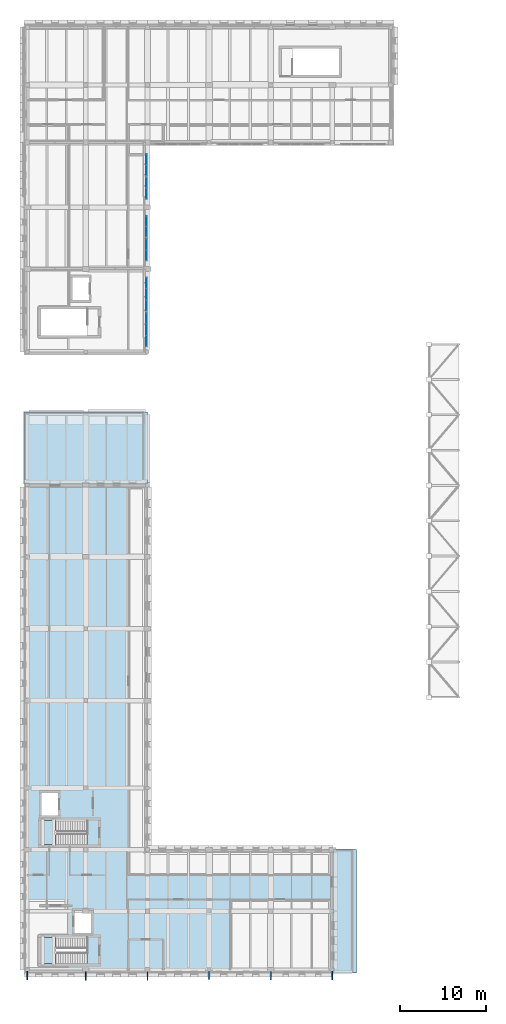
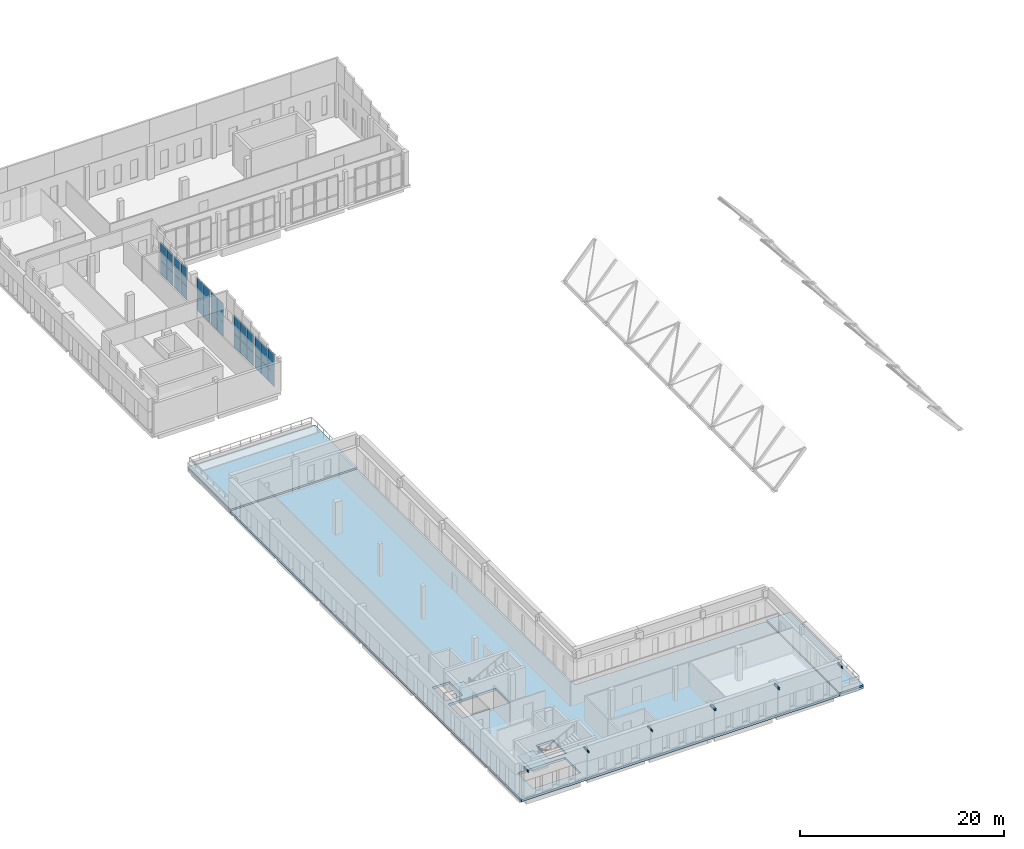
# One storey, part 16 of 34: 28 plates, 7 slabs, 6 members, 8 elements without a shape of their own.
"""IFC4 building model written with IfcOpenShell, lengths in metres."""

from ifc_helpers import new_model, si_unit, direction, frame, origin, origin_2d, place, context, subcontext, project, spatial, polyline, rectangle, i_section, outline, extrude, material, layer, layer_set, material_profile, profile_set, type_object, element, aggregate, save


model = new_model("IFC4")

# Units and contexts
model_context = context("Model", 3, precision=1e-05, world=origin(), true_north=direction((0.0, 1.0)))
body_context = subcontext(model_context, "Body", "Model", "MODEL_VIEW")
ifc_project = project(units=[si_unit("LENGTHUNIT", "METRE"), si_unit("AREAUNIT", "SQUARE_METRE"), si_unit("VOLUMEUNIT", "CUBIC_METRE"), si_unit("PLANEANGLEUNIT", "RADIAN"), si_unit("MASSUNIT", "GRAM", prefix="KILO")], contexts=[model_context])

# Site, building, storey
site_placement = place(None, origin())
site = spatial("IfcSite", under=ifc_project, at=site_placement, CompositionType="ELEMENT")
building_placement = place(site_placement, origin())
building = spatial("IfcBuilding", under=site, at=building_placement, Name="Vardoun Plaza Health Centre", CompositionType="ELEMENT")
storey_placement = place(building_placement, frame((0.0, 0.0, 12.89990234375)))
storey = spatial("IfcBuildingStorey", under=building, at=storey_placement, Name="L03", CompositionType="ELEMENT", Elevation=12.89990234375)

# Members
ifc_material_1 = material(Name="Steel S355J2", Category="steel")
ifc_material_profile_1 = material_profile(ifc_material_1, i_section(OverallWidth=0.1201171875, OverallDepth=0.239990234375, WebThickness=0.006103515625, FlangeThickness=0.009765625, FilletRadius=0.014892578125, at=origin_2d()), Name="IPE 240")
ifc_profile_set_1 = profile_set([ifc_material_profile_1], Name="Steel S355J2")
member_type_1 = type_object("IfcMemberType", Name="CR-01", PredefinedType="RAFTER", material=ifc_profile_set_1)
member_1_placement = place(storey_placement, frame((33.300048828125, 4.64990234375, 3.670166015625), z_axis=(0.0, -1.0, 0.0), x_axis=(1.0, 0.0, 0.0)))
element("IfcMember", 1, at=member_1_placement, inside=storey, type_object=member_type_1, Name="V2 L03 South Facade Shading Fin Arm SH-V2-L03-025", PredefinedType="RAFTER", context=body_context, shape_type="SweptSolid", body=[
    extrude(i_section(OverallWidth=0.1201171875, OverallDepth=0.239990234375, WebThickness=0.006103515625, FlangeThickness=0.009765625, FilletRadius=0.014892578125, at=origin_2d()), origin(), (0.0, 0.0, 1.0), 0.949951171875),
])
ifc_material_2 = material(Name="Steel S355J2", Category="steel")
ifc_material_profile_2 = material_profile(ifc_material_2, i_section(OverallWidth=0.110107421875, OverallDepth=0.219970703125, WebThickness=0.005859375, FlangeThickness=0.00927734375, FilletRadius=0.011962890625, at=origin_2d()), Name="IPE 220")
ifc_profile_set_2 = profile_set([ifc_material_profile_2], Name="Steel S355J2")
member_type_2 = type_object("IfcMemberType", Name="CR-02", PredefinedType="RAFTER", material=ifc_profile_set_2)
for number, where, z_axis, x_axis, name in (
    (2, (4.8798828125, 4.675048828125, 3.670166015625), (0.0, -1.0, 0.0), (1.0, 0.0, 0.0), "V2 L03 South Facade Shading Fin Arm SH-V2-L03-021"),
    (3, (40.5, 4.675048828125, 3.670166015625), (0.0, -1.0, 0.0), (1.0, 0.0, 0.0), "V2 L03 South Facade Shading Fin Arm SH-V2-L03-026"),
):
    element("IfcMember", number, at=place(storey_placement, frame(where, z_axis=z_axis, x_axis=x_axis)), inside=storey, type_object=member_type_2, Name=name, PredefinedType="RAFTER", context=body_context, shape_type="SweptSolid", body=[
        extrude(i_section(OverallWidth=0.110107421875, OverallDepth=0.219970703125, WebThickness=0.005859375, FlangeThickness=0.00927734375, FilletRadius=0.011962890625, at=origin_2d()), origin(), (0.0, 0.0, 1.0), 0.949951171875),
    ])
ifc_material_3 = material(Name="Steel S355J2", Category="steel")
ifc_material_profile_3 = material_profile(ifc_material_3, i_section(OverallWidth=0.10009765625, OverallDepth=0.199951171875, WebThickness=0.005615234375, FlangeThickness=0.008544921875, FilletRadius=0.011962890625, at=origin_2d()), Name="IPE 200")
ifc_profile_set_3 = profile_set([ifc_material_profile_3], Name="Steel S355J2")
member_type_3 = type_object("IfcMemberType", Name="CR-03", PredefinedType="RAFTER", material=ifc_profile_set_3)
member_2_placement = place(storey_placement, frame((11.699951171875, 4.625, 3.670166015625), z_axis=(0.0, -1.0, 0.0), x_axis=(1.0, 0.0, 0.0)))
element("IfcMember", 4, at=member_2_placement, inside=storey, type_object=member_type_3, Name="V2 L03 South Facade Shading Fin Arm SH-V2-L03-022", PredefinedType="RAFTER", context=body_context, shape_type="SweptSolid", body=[
    extrude(i_section(OverallWidth=0.10009765625, OverallDepth=0.199951171875, WebThickness=0.005615234375, FlangeThickness=0.008544921875, FilletRadius=0.011962890625, at=origin_2d()), origin(), (0.0, 0.0, 1.0), 0.949951171875),
])
ifc_material_4 = material(Name="Steel S355J2", Category="steel")
ifc_material_profile_4 = material_profile(ifc_material_4, i_section(OverallWidth=0.091064453125, OverallDepth=0.179931640625, WebThickness=0.00537109375, FlangeThickness=0.008056640625, FilletRadius=0.009033203125, at=origin_2d()), Name="IPE 180")
ifc_profile_set_4 = profile_set([ifc_material_profile_4], Name="Steel S355J2")
member_type_4 = type_object("IfcMemberType", Name="CR-04", PredefinedType="RAFTER", material=ifc_profile_set_4)
member_3_placement = place(storey_placement, frame((18.89990234375, 4.625, 3.670166015625), z_axis=(0.0, -1.0, 0.0), x_axis=(1.0, 0.0, 0.0)))
element("IfcMember", 5, at=member_3_placement, inside=storey, type_object=member_type_4, Name="V2 L03 South Facade Shading Fin Arm SH-V2-L03-023", PredefinedType="RAFTER", context=body_context, shape_type="SweptSolid", body=[
    extrude(i_section(OverallWidth=0.091064453125, OverallDepth=0.179931640625, WebThickness=0.00537109375, FlangeThickness=0.008056640625, FilletRadius=0.009033203125, at=origin_2d()), origin(), (0.0, 0.0, 1.0), 0.949951171875),
])
ifc_material_5 = material(Name="Steel S355J2", Category="steel")
ifc_material_profile_5 = material_profile(ifc_material_5, i_section(OverallWidth=0.199951171875, OverallDepth=0.18994140625, WebThickness=0.006591796875, FlangeThickness=0.010009765625, FilletRadius=0.01806640625, at=origin_2d()), Name="HEA 200")
ifc_profile_set_5 = profile_set([ifc_material_profile_5], Name="Steel S355J2")
member_type_5 = type_object("IfcMemberType", Name="CR-05", PredefinedType="RAFTER", material=ifc_profile_set_5)
member_4_placement = place(storey_placement, frame((26.10009765625, 4.675048828125, 3.670166015625), z_axis=(0.0, -1.0, 0.0), x_axis=(1.0, 0.0, 0.0)))
element("IfcMember", 6, at=member_4_placement, inside=storey, type_object=member_type_5, Name="V2 L03 South Facade Shading Fin Arm SH-V2-L03-024", PredefinedType="RAFTER", context=body_context, shape_type="SweptSolid", body=[
    extrude(i_section(OverallWidth=0.199951171875, OverallDepth=0.18994140625, WebThickness=0.006591796875, FlangeThickness=0.010009765625, FilletRadius=0.01806640625, at=origin_2d()), origin(), (0.0, 0.0, 1.0), 0.949951171875),
])

# Curtain wall, plates
ifc_material_6 = material(Name="Aluminium Alloy EN AW-6063-T6 and Low-E Glass", Category="aluminium")
ifc_layer_1 = layer(ifc_material_6, 0.159912109375)
ifc_layer_set_1 = layer_set([ifc_layer_1], Name="Aluminium Alloy EN AW-6063-T6 and Low-E Glass")
curtain_wall_type = type_object("IfcCurtainWallType", Name="CW-02", PredefinedType="USERDEFINED", material=ifc_layer_set_1)
curtain_wall_1_placement = place(storey_placement, origin())
curtain_wall_1 = element("IfcCurtainWall", 7, at=curtain_wall_1_placement, inside=storey, type_object=curtain_wall_type, Name="Curtain Wall CW-V3-095", ObjectType="COURTYARD_CURTAIN_WALL", PredefinedType="USERDEFINED")
ifc_material_7 = material(Name="Solar-Control Double Low-E Glazing", Category="glass")
ifc_layer_2 = layer(ifc_material_7, 0.028076171875)
ifc_layer_set_2 = layer_set([ifc_layer_2], Name="Solar-Control Double Low-E Glazing")
plate_type = type_object("IfcPlateType", Name="CW-P1", PredefinedType="CURTAIN_PANEL", material=ifc_layer_set_2)
plate_1_placement = place(storey_placement, frame((18.780029296875, 99.485107421875, 0.06005859375), z_axis=(0.0, 0.0, 1.0), x_axis=(0.0, -1.0, 0.0)))
plate_1 = element("IfcPlate", 8, at=plate_1_placement, type_object=plate_type, Name="CW-V3-095 panel 1.1", PredefinedType="CURTAIN_PANEL", context=body_context, shape_type="SweptSolid", body=[
    extrude(rectangle(XDim=1.18994140625, YDim=0.028076171875, at=origin_2d()), origin(), (0.0, 0.0, 1.0), 1.59619140625),
])
plate_2_placement = place(storey_placement, frame((18.780029296875, 99.485107421875, 1.71630859375), z_axis=(0.0, 0.0, 1.0), x_axis=(0.0, -1.0, 0.0)))
plate_2 = element("IfcPlate", 9, at=plate_2_placement, type_object=plate_type, Name="CW-V3-095 panel 1.2", PredefinedType="CURTAIN_PANEL", context=body_context, shape_type="SweptSolid", body=[
    extrude(rectangle(XDim=1.18994140625, YDim=0.028076171875, at=origin_2d()), origin(), (0.0, 0.0, 1.0), 2.23876953125),
])
plate_3_placement = place(storey_placement, frame((18.780029296875, 98.235107421875, 0.06005859375), z_axis=(0.0, 0.0, 1.0), x_axis=(0.0, -1.0, 0.0)))
plate_3 = element("IfcPlate", 10, at=plate_3_placement, type_object=plate_type, Name="CW-V3-095 panel 2.1", PredefinedType="CURTAIN_PANEL", context=body_context, shape_type="SweptSolid", body=[
    extrude(rectangle(XDim=1.18994140625, YDim=0.028076171875, at=origin_2d()), origin(), (0.0, 0.0, 1.0), 1.59619140625),
])
plate_4_placement = place(storey_placement, frame((18.780029296875, 98.235107421875, 1.71630859375), z_axis=(0.0, 0.0, 1.0), x_axis=(0.0, -1.0, 0.0)))
plate_4 = element("IfcPlate", 11, at=plate_4_placement, type_object=plate_type, Name="CW-V3-095 panel 2.2", PredefinedType="CURTAIN_PANEL", context=body_context, shape_type="SweptSolid", body=[
    extrude(rectangle(XDim=1.18994140625, YDim=0.028076171875, at=origin_2d()), origin(), (0.0, 0.0, 1.0), 2.23876953125),
])
aggregate(curtain_wall_1, [plate_1, plate_2, plate_3, plate_4])

curtain_wall_2_placement = place(storey_placement, origin())
curtain_wall_2 = element("IfcCurtainWall", 12, at=curtain_wall_2_placement, inside=storey, type_object=curtain_wall_type, Name="Curtain Wall CW-V3-096", ObjectType="COURTYARD_CURTAIN_WALL", PredefinedType="USERDEFINED")
plate_5_placement = place(storey_placement, frame((18.780029296875, 96.764892578125, 0.06005859375), z_axis=(0.0, 0.0, 1.0), x_axis=(0.0, -1.0, 0.0)))
plate_5 = element("IfcPlate", 13, at=plate_5_placement, type_object=plate_type, Name="CW-V3-096 panel 1.1", PredefinedType="CURTAIN_PANEL", context=body_context, shape_type="SweptSolid", body=[
    extrude(rectangle(XDim=1.18994140625, YDim=0.028076171875, at=origin_2d()), origin(), (0.0, 0.0, 1.0), 1.59619140625),
])
plate_6_placement = place(storey_placement, frame((18.780029296875, 96.764892578125, 1.71630859375), z_axis=(0.0, 0.0, 1.0), x_axis=(0.0, -1.0, 0.0)))
plate_6 = element("IfcPlate", 14, at=plate_6_placement, type_object=plate_type, Name="CW-V3-096 panel 1.2", PredefinedType="CURTAIN_PANEL", context=body_context, shape_type="SweptSolid", body=[
    extrude(rectangle(XDim=1.18994140625, YDim=0.028076171875, at=origin_2d()), origin(), (0.0, 0.0, 1.0), 2.23876953125),
])
plate_7_placement = place(storey_placement, frame((18.780029296875, 95.514892578125, 0.06005859375), z_axis=(0.0, 0.0, 1.0), x_axis=(0.0, -1.0, 0.0)))
plate_7 = element("IfcPlate", 15, at=plate_7_placement, type_object=plate_type, Name="CW-V3-096 panel 2.1", PredefinedType="CURTAIN_PANEL", context=body_context, shape_type="SweptSolid", body=[
    extrude(rectangle(XDim=1.18994140625, YDim=0.028076171875, at=origin_2d()), origin(), (0.0, 0.0, 1.0), 1.59619140625),
])
plate_8_placement = place(storey_placement, frame((18.780029296875, 95.514892578125, 1.71630859375), z_axis=(0.0, 0.0, 1.0), x_axis=(0.0, -1.0, 0.0)))
plate_8 = element("IfcPlate", 16, at=plate_8_placement, type_object=plate_type, Name="CW-V3-096 panel 2.2", PredefinedType="CURTAIN_PANEL", context=body_context, shape_type="SweptSolid", body=[
    extrude(rectangle(XDim=1.18994140625, YDim=0.028076171875, at=origin_2d()), origin(), (0.0, 0.0, 1.0), 2.23876953125),
])
aggregate(curtain_wall_2, [plate_5, plate_6, plate_7, plate_8])

curtain_wall_3_placement = place(storey_placement, origin())
curtain_wall_3 = element("IfcCurtainWall", 17, at=curtain_wall_3_placement, inside=storey, type_object=curtain_wall_type, Name="Curtain Wall CW-V3-097", ObjectType="COURTYARD_CURTAIN_WALL", PredefinedType="USERDEFINED")
plate_9_placement = place(storey_placement, frame((18.780029296875, 92.284912109375, 0.06005859375), z_axis=(0.0, 0.0, 1.0), x_axis=(0.0, -1.0, 0.0)))
plate_9 = element("IfcPlate", 18, at=plate_9_placement, type_object=plate_type, Name="CW-V3-097 panel 1.1", PredefinedType="CURTAIN_PANEL", context=body_context, shape_type="SweptSolid", body=[
    extrude(rectangle(XDim=1.18994140625, YDim=0.028076171875, at=origin_2d()), origin(), (0.0, 0.0, 1.0), 1.59619140625),
])
plate_10_placement = place(storey_placement, frame((18.780029296875, 92.284912109375, 1.71630859375), z_axis=(0.0, 0.0, 1.0), x_axis=(0.0, -1.0, 0.0)))
plate_10 = element("IfcPlate", 19, at=plate_10_placement, type_object=plate_type, Name="CW-V3-097 panel 1.2", PredefinedType="CURTAIN_PANEL", context=body_context, shape_type="SweptSolid", body=[
    extrude(rectangle(XDim=1.18994140625, YDim=0.028076171875, at=origin_2d()), origin(), (0.0, 0.0, 1.0), 2.23876953125),
])
plate_11_placement = place(storey_placement, frame((18.780029296875, 91.034912109375, 0.06005859375), z_axis=(0.0, 0.0, 1.0), x_axis=(0.0, -1.0, 0.0)))
plate_11 = element("IfcPlate", 20, at=plate_11_placement, type_object=plate_type, Name="CW-V3-097 panel 2.1", PredefinedType="CURTAIN_PANEL", context=body_context, shape_type="SweptSolid", body=[
    extrude(rectangle(XDim=1.18994140625, YDim=0.028076171875, at=origin_2d()), origin(), (0.0, 0.0, 1.0), 1.59619140625),
])
plate_12_placement = place(storey_placement, frame((18.780029296875, 91.034912109375, 1.71630859375), z_axis=(0.0, 0.0, 1.0), x_axis=(0.0, -1.0, 0.0)))
plate_12 = element("IfcPlate", 21, at=plate_12_placement, type_object=plate_type, Name="CW-V3-097 panel 2.2", PredefinedType="CURTAIN_PANEL", context=body_context, shape_type="SweptSolid", body=[
    extrude(rectangle(XDim=1.18994140625, YDim=0.028076171875, at=origin_2d()), origin(), (0.0, 0.0, 1.0), 2.23876953125),
])
aggregate(curtain_wall_3, [plate_9, plate_10, plate_11, plate_12])

curtain_wall_4_placement = place(storey_placement, origin())
curtain_wall_4 = element("IfcCurtainWall", 22, at=curtain_wall_4_placement, inside=storey, type_object=curtain_wall_type, Name="Curtain Wall CW-V3-098", ObjectType="COURTYARD_CURTAIN_WALL", PredefinedType="USERDEFINED")
plate_13_placement = place(storey_placement, frame((18.780029296875, 89.56494140625, 0.06005859375), z_axis=(0.0, 0.0, 1.0), x_axis=(0.0, -1.0, 0.0)))
plate_13 = element("IfcPlate", 23, at=plate_13_placement, type_object=plate_type, Name="CW-V3-098 panel 1.1", PredefinedType="CURTAIN_PANEL", context=body_context, shape_type="SweptSolid", body=[
    extrude(rectangle(XDim=1.18994140625, YDim=0.028076171875, at=origin_2d()), origin(), (0.0, 0.0, 1.0), 1.59619140625),
])
plate_14_placement = place(storey_placement, frame((18.780029296875, 89.56494140625, 1.71630859375), z_axis=(0.0, 0.0, 1.0), x_axis=(0.0, -1.0, 0.0)))
plate_14 = element("IfcPlate", 24, at=plate_14_placement, type_object=plate_type, Name="CW-V3-098 panel 1.2", PredefinedType="CURTAIN_PANEL", context=body_context, shape_type="SweptSolid", body=[
    extrude(rectangle(XDim=1.18994140625, YDim=0.028076171875, at=origin_2d()), origin(), (0.0, 0.0, 1.0), 2.23876953125),
])
plate_15_placement = place(storey_placement, frame((18.780029296875, 88.31494140625, 0.06005859375), z_axis=(0.0, 0.0, 1.0), x_axis=(0.0, -1.0, 0.0)))
plate_15 = element("IfcPlate", 25, at=plate_15_placement, type_object=plate_type, Name="CW-V3-098 panel 2.1", PredefinedType="CURTAIN_PANEL", context=body_context, shape_type="SweptSolid", body=[
    extrude(rectangle(XDim=1.18994140625, YDim=0.028076171875, at=origin_2d()), origin(), (0.0, 0.0, 1.0), 1.59619140625),
])
plate_16_placement = place(storey_placement, frame((18.780029296875, 88.31494140625, 1.71630859375), z_axis=(0.0, 0.0, 1.0), x_axis=(0.0, -1.0, 0.0)))
plate_16 = element("IfcPlate", 26, at=plate_16_placement, type_object=plate_type, Name="CW-V3-098 panel 2.2", PredefinedType="CURTAIN_PANEL", context=body_context, shape_type="SweptSolid", body=[
    extrude(rectangle(XDim=1.18994140625, YDim=0.028076171875, at=origin_2d()), origin(), (0.0, 0.0, 1.0), 2.23876953125),
])
aggregate(curtain_wall_4, [plate_13, plate_14, plate_15, plate_16])

curtain_wall_5_placement = place(storey_placement, origin())
curtain_wall_5 = element("IfcCurtainWall", 27, at=curtain_wall_5_placement, inside=storey, type_object=curtain_wall_type, Name="Curtain Wall CW-V3-099", ObjectType="COURTYARD_CURTAIN_WALL", PredefinedType="USERDEFINED")
plate_17_placement = place(storey_placement, frame((18.780029296875, 85.063232421875, 0.06005859375), z_axis=(0.0, 0.0, 1.0), x_axis=(0.0, -1.0, 0.0)))
plate_17 = element("IfcPlate", 28, at=plate_17_placement, type_object=plate_type, Name="CW-V3-099 panel 1.1", PredefinedType="CURTAIN_PANEL", context=body_context, shape_type="SweptSolid", body=[
    extrude(rectangle(XDim=1.2333984375, YDim=0.028076171875, at=origin_2d()), origin(), (0.0, 0.0, 1.0), 1.59619140625),
])
plate_18_placement = place(storey_placement, frame((18.780029296875, 85.063232421875, 1.71630859375), z_axis=(0.0, 0.0, 1.0), x_axis=(0.0, -1.0, 0.0)))
plate_18 = element("IfcPlate", 29, at=plate_18_placement, type_object=plate_type, Name="CW-V3-099 panel 1.2", PredefinedType="CURTAIN_PANEL", context=body_context, shape_type="SweptSolid", body=[
    extrude(rectangle(XDim=1.2333984375, YDim=0.028076171875, at=origin_2d()), origin(), (0.0, 0.0, 1.0), 2.23876953125),
])
plate_19_placement = place(storey_placement, frame((18.780029296875, 83.7548828125, 0.06005859375), z_axis=(0.0, 0.0, 1.0), x_axis=(0.0, -1.0, 0.0)))
plate_19 = element("IfcPlate", 30, at=plate_19_placement, type_object=plate_type, Name="CW-V3-099 panel 2.1", PredefinedType="CURTAIN_PANEL", context=body_context, shape_type="SweptSolid", body=[
    extrude(rectangle(XDim=1.263427734375, YDim=0.028076171875, at=origin_2d()), origin(), (0.0, 0.0, 1.0), 1.59619140625),
])
plate_20_placement = place(storey_placement, frame((18.780029296875, 83.7548828125, 1.71630859375), z_axis=(0.0, 0.0, 1.0), x_axis=(0.0, -1.0, 0.0)))
plate_20 = element("IfcPlate", 31, at=plate_20_placement, type_object=plate_type, Name="CW-V3-099 panel 2.2", PredefinedType="CURTAIN_PANEL", context=body_context, shape_type="SweptSolid", body=[
    extrude(rectangle(XDim=1.263427734375, YDim=0.028076171875, at=origin_2d()), origin(), (0.0, 0.0, 1.0), 2.23876953125),
])
plate_21_placement = place(storey_placement, frame((18.780029296875, 82.44677734375, 0.06005859375), z_axis=(0.0, 0.0, 1.0), x_axis=(0.0, -1.0, 0.0)))
plate_21 = element("IfcPlate", 32, at=plate_21_placement, type_object=plate_type, Name="CW-V3-099 panel 3.1", PredefinedType="CURTAIN_PANEL", context=body_context, shape_type="SweptSolid", body=[
    extrude(rectangle(XDim=1.2333984375, YDim=0.028076171875, at=origin_2d()), origin(), (0.0, 0.0, 1.0), 1.59619140625),
])
plate_22_placement = place(storey_placement, frame((18.780029296875, 82.44677734375, 1.71630859375), z_axis=(0.0, 0.0, 1.0), x_axis=(0.0, -1.0, 0.0)))
plate_22 = element("IfcPlate", 33, at=plate_22_placement, type_object=plate_type, Name="CW-V3-099 panel 3.2", PredefinedType="CURTAIN_PANEL", context=body_context, shape_type="SweptSolid", body=[
    extrude(rectangle(XDim=1.2333984375, YDim=0.028076171875, at=origin_2d()), origin(), (0.0, 0.0, 1.0), 2.23876953125),
])
aggregate(curtain_wall_5, [plate_17, plate_18, plate_19, plate_20, plate_21, plate_22])

curtain_wall_6_placement = place(storey_placement, origin())
curtain_wall_6 = element("IfcCurtainWall", 34, at=curtain_wall_6_placement, inside=storey, type_object=curtain_wall_type, Name="Curtain Wall CW-V3-100", ObjectType="COURTYARD_CURTAIN_WALL", PredefinedType="USERDEFINED")
plate_23_placement = place(storey_placement, frame((18.780029296875, 80.933349609375, 0.06005859375), z_axis=(0.0, 0.0, 1.0), x_axis=(0.0, -1.0, 0.0)))
plate_23 = element("IfcPlate", 35, at=plate_23_placement, type_object=plate_type, Name="CW-V3-100 panel 1.1", PredefinedType="CURTAIN_PANEL", context=body_context, shape_type="SweptSolid", body=[
    extrude(rectangle(XDim=1.2333984375, YDim=0.028076171875, at=origin_2d()), origin(), (0.0, 0.0, 1.0), 1.59619140625),
])
plate_24_placement = place(storey_placement, frame((18.780029296875, 80.933349609375, 1.71630859375), z_axis=(0.0, 0.0, 1.0), x_axis=(0.0, -1.0, 0.0)))
plate_24 = element("IfcPlate", 36, at=plate_24_placement, type_object=plate_type, Name="CW-V3-100 panel 1.2", PredefinedType="CURTAIN_PANEL", context=body_context, shape_type="SweptSolid", body=[
    extrude(rectangle(XDim=1.2333984375, YDim=0.028076171875, at=origin_2d()), origin(), (0.0, 0.0, 1.0), 2.23876953125),
])
plate_25_placement = place(storey_placement, frame((18.780029296875, 79.625, 0.06005859375), z_axis=(0.0, 0.0, 1.0), x_axis=(0.0, -1.0, 0.0)))
plate_25 = element("IfcPlate", 37, at=plate_25_placement, type_object=plate_type, Name="CW-V3-100 panel 2.1", PredefinedType="CURTAIN_PANEL", context=body_context, shape_type="SweptSolid", body=[
    extrude(rectangle(XDim=1.263427734375, YDim=0.028076171875, at=origin_2d()), origin(), (0.0, 0.0, 1.0), 1.59619140625),
])
plate_26_placement = place(storey_placement, frame((18.780029296875, 79.625, 1.71630859375), z_axis=(0.0, 0.0, 1.0), x_axis=(0.0, -1.0, 0.0)))
plate_26 = element("IfcPlate", 38, at=plate_26_placement, type_object=plate_type, Name="CW-V3-100 panel 2.2", PredefinedType="CURTAIN_PANEL", context=body_context, shape_type="SweptSolid", body=[
    extrude(rectangle(XDim=1.263427734375, YDim=0.028076171875, at=origin_2d()), origin(), (0.0, 0.0, 1.0), 2.23876953125),
])
plate_27_placement = place(storey_placement, frame((18.780029296875, 78.316650390625, 0.06005859375), z_axis=(0.0, 0.0, 1.0), x_axis=(0.0, -1.0, 0.0)))
plate_27 = element("IfcPlate", 39, at=plate_27_placement, type_object=plate_type, Name="CW-V3-100 panel 3.1", PredefinedType="CURTAIN_PANEL", context=body_context, shape_type="SweptSolid", body=[
    extrude(rectangle(XDim=1.2333984375, YDim=0.028076171875, at=origin_2d()), origin(), (0.0, 0.0, 1.0), 1.59619140625),
])
plate_28_placement = place(storey_placement, frame((18.780029296875, 78.316650390625, 1.71630859375), z_axis=(0.0, 0.0, 1.0), x_axis=(0.0, -1.0, 0.0)))
plate_28 = element("IfcPlate", 40, at=plate_28_placement, type_object=plate_type, Name="CW-V3-100 panel 3.2", PredefinedType="CURTAIN_PANEL", context=body_context, shape_type="SweptSolid", body=[
    extrude(rectangle(XDim=1.2333984375, YDim=0.028076171875, at=origin_2d()), origin(), (0.0, 0.0, 1.0), 2.23876953125),
])
aggregate(curtain_wall_6, [plate_23, plate_24, plate_25, plate_26, plate_27, plate_28])

# Stair, slab
ifc_material_8 = material(Name="Concrete C35/45", Category="concrete")
stair_type = type_object("IfcStairType", Name="ST-01", PredefinedType="HALF_TURN_STAIR", material=ifc_material_8)
stair_1_placement = place(storey_placement, origin())
stair_1 = element("IfcStair", 41, at=stair_1_placement, inside=storey, type_object=stair_type, Name="Core C1 L03 Exit Stair ST-C1-L03", PredefinedType="HALF_TURN_STAIR")
ifc_material_9 = material(Name="Concrete C35/45", Category="concrete")
ifc_layer_3 = layer(ifc_material_9, 0.199951171875)
ifc_layer_set_3 = layer_set([ifc_layer_3], Name="Concrete C35/45")
slab_type_1 = type_object("IfcSlabType", Name="SL-LD", PredefinedType="LANDING", material=ifc_layer_set_3)
slab_1_placement = place(storey_placement, frame((0.0, 0.0, 1.900146484375)))
slab_1 = element("IfcSlab", 42, at=slab_1_placement, type_object=slab_type_1, Name="ST-C1-L03 landing 1", PredefinedType="LANDING", context=body_context, shape_type="SweptSolid", body=[
    extrude(outline(polyline([(6.47509765625, 5.574951171875), (8.210693359375, 5.574951171875), (8.210693359375, 8.625), (6.47509765625, 8.625), (6.47509765625, 5.574951171875)])), origin(), (0.0, 0.0, 1.0), 0.199951171875),
])
aggregate(stair_1, [slab_1])

stair_2_placement = place(storey_placement, origin())
stair_2 = element("IfcStair", 43, at=stair_2_placement, inside=storey, type_object=stair_type, Name="Core C2 L03 Exit Stair ST-C2-L03", PredefinedType="HALF_TURN_STAIR")
slab_2_placement = place(storey_placement, frame((0.0, 0.0, 1.900146484375)))
slab_2 = element("IfcSlab", 44, at=slab_2_placement, type_object=slab_type_1, Name="ST-C2-L03 landing 1", PredefinedType="LANDING", context=body_context, shape_type="SweptSolid", body=[
    extrude(outline(polyline([(6.47509765625, 19.47509765625), (8.210693359375, 19.47509765625), (8.210693359375, 22.27490234375), (6.47509765625, 22.27490234375), (6.47509765625, 19.47509765625)])), origin(), (0.0, 0.0, 1.0), 0.199951171875),
])
aggregate(stair_2, [slab_2])

# Slabs
ifc_material_10 = material(Name="Pale Limestone Concrete C35/45", Category="masonry")
ifc_layer_4 = layer(ifc_material_10, 0.239990234375)
ifc_layer_set_4 = layer_set([ifc_layer_4], Name="Pale Limestone Concrete C35/45")
slab_type_2 = type_object("IfcSlabType", Name="RF-01", PredefinedType="ROOF", material=ifc_layer_set_4)
slab_3_placement = place(storey_placement, frame((0.0, 0.0, -0.27978515625)))
element("IfcSlab", 45, at=slab_3_placement, inside=storey, type_object=slab_type_2, Name="V2 L03 Step-Back Structural Roof Slab 1", PredefinedType="ROOF", context=body_context, shape_type="SweptSolid", body=[
    extrude(outline(polyline([(4.5, 61.60009765625), (18.89990234375, 61.60009765625), (18.89990234375, 70.0), (4.5, 70.0), (4.5, 61.60009765625)])), origin(), (0.0, 0.0, 1.0), 0.27978515625),
])
slab_4_placement = place(storey_placement, frame((0.0, 0.0, -0.27978515625)))
element("IfcSlab", 46, at=slab_4_placement, inside=storey, type_object=slab_type_2, Name="V2 L03 Step-Back Structural Roof Slab 2", PredefinedType="ROOF", context=body_context, shape_type="SweptSolid", body=[
    extrude(outline(polyline([(40.60009765625, 4.5), (43.300048828125, 4.5), (43.300048828125, 18.89990234375), (40.60009765625, 18.89990234375), (40.60009765625, 4.5)])), origin(), (0.0, 0.0, 1.0), 0.27978515625),
])
ifc_material_11 = material(Name="Concrete C35/45", Category="concrete")
ifc_layer_5 = layer(ifc_material_11, 0.280029296875)
ifc_layer_set_5 = layer_set([ifc_layer_5], Name="Concrete C35/45")
slab_type_3 = type_object("IfcSlabType", Name="SL-03", PredefinedType="FLOOR", material=ifc_layer_set_5)
slab_5_placement = place(storey_placement, frame((0.0, 0.0, -0.27978515625)))
element("IfcSlab", 47, at=slab_5_placement, inside=storey, type_object=slab_type_3, Name="V2 L03 Structural Slab", PredefinedType="FLOOR", context=body_context, shape_type="SweptSolid", body=[
    extrude(outline(polyline([(4.5, 4.5), (40.60009765625, 4.5), (40.60009765625, 18.89990234375), (18.89990234375, 18.89990234375), (18.89990234375, 61.60009765625), (4.5, 61.60009765625), (4.5, 4.5)]), holes=[polyline([(6.47509765625, 5.574951171875), (11.849365234375, 5.574951171875), (11.849365234375, 8.625), (6.47509765625, 8.625), (6.47509765625, 5.574951171875)]), polyline([(10.3701171875, 9.169921875), (12.330078125, 9.169921875), (12.330078125, 11.830078125), (10.3701171875, 11.830078125), (10.3701171875, 9.169921875)]), polyline([(6.47509765625, 19.47509765625), (11.849365234375, 19.47509765625), (11.849365234375, 22.27490234375), (6.47509765625, 22.27490234375), (6.47509765625, 19.47509765625)]), polyline([(6.52001953125, 22.8701171875), (8.47998046875, 22.8701171875), (8.47998046875, 25.530029296875), (6.52001953125, 25.530029296875), (6.52001953125, 22.8701171875)])]), origin(), (0.0, 0.0, 1.0), 0.27978515625),
])
ifc_material_12 = material(Name="Pale Limestone Concrete C35/45", Category="masonry")
ifc_layer_6 = layer(ifc_material_12, 0.18994140625)
ifc_layer_set_6 = layer_set([ifc_layer_6], Name="Pale Limestone Concrete C35/45")
slab_type_4 = type_object("IfcSlabType", Name="SL-T1", PredefinedType="FLOOR", material=ifc_layer_set_6)
slab_6_placement = place(storey_placement, origin())
element("IfcSlab", 48, at=slab_6_placement, inside=storey, type_object=slab_type_4, Name="V2 L03 Planted Roof-Garden Terrace 1", PredefinedType="FLOOR", context=body_context, shape_type="SweptSolid", body=[
    extrude(outline(polyline([(4.5, 61.60009765625), (18.89990234375, 61.60009765625), (18.89990234375, 70.0), (4.5, 70.0), (4.5, 61.60009765625)])), origin(), (0.0, 0.0, 1.0), 0.190185546875),
])
slab_7_placement = place(storey_placement, origin())
element("IfcSlab", 49, at=slab_7_placement, inside=storey, type_object=slab_type_4, Name="V2 L03 Planted Roof-Garden Terrace 2", PredefinedType="FLOOR", context=body_context, shape_type="SweptSolid", body=[
    extrude(outline(polyline([(40.60009765625, 4.5), (43.300048828125, 4.5), (43.300048828125, 18.89990234375), (40.60009765625, 18.89990234375), (40.60009765625, 4.5)])), origin(), (0.0, 0.0, 1.0), 0.190185546875),
])

save(model, "model.ifc")
